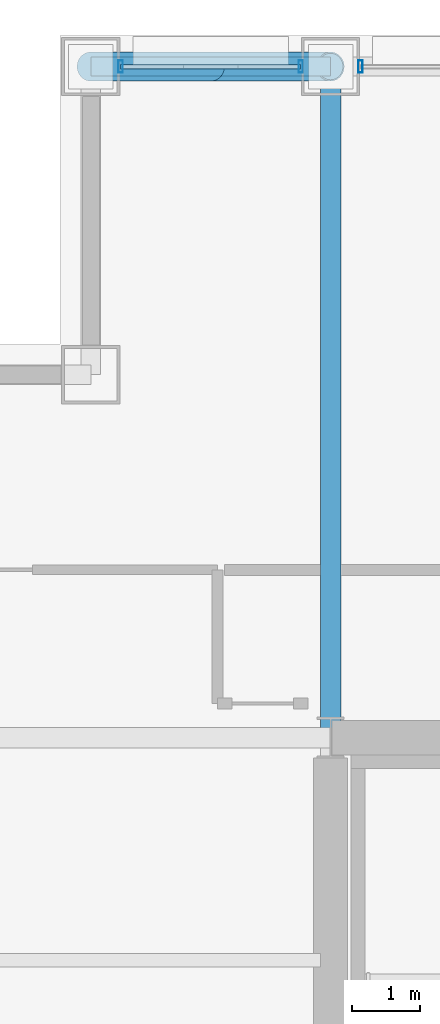
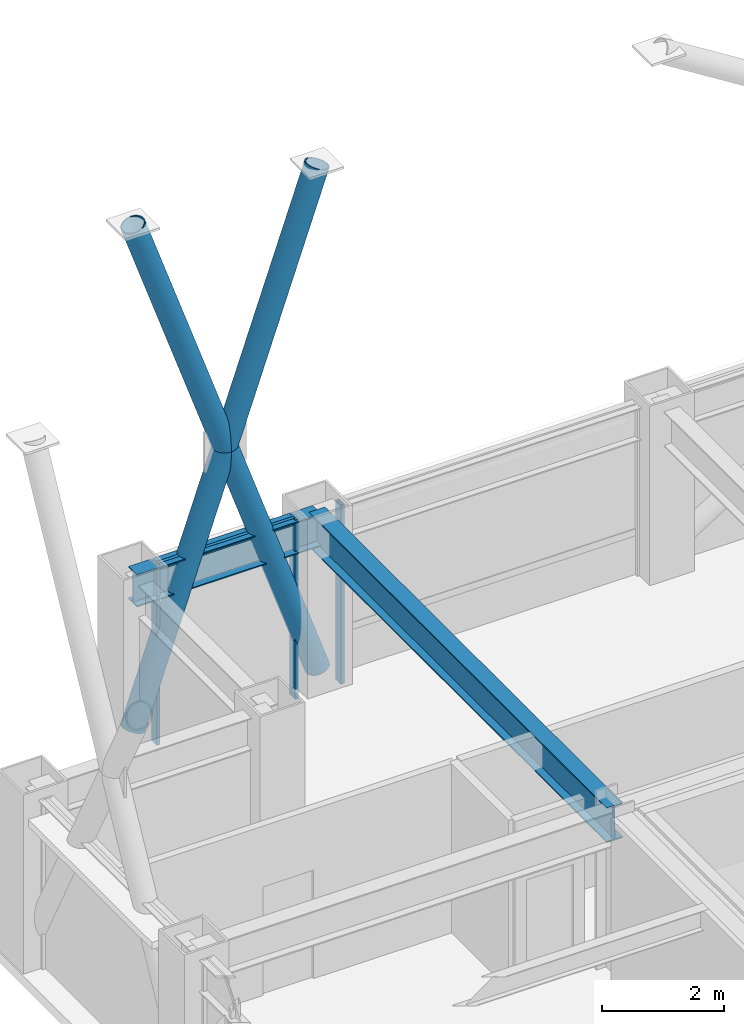
# One storey, part 20 of 34: 7 members, 2 beams, 2 elements without a shape of their own.
"""IFC4 building model written with IfcOpenShell, lengths in metres."""

from ifc_helpers import new_model, si_unit, direction, frame, origin, origin_2d, place, context, subcontext, project, spatial, hollow_rectangle, hollow_circle, i_section, extrude, material, layer, layer_set, material_profile, profile_set, type_object, element, aggregate, save


model = new_model("IFC4")

# Units and contexts
model_context = context("Model", 3, precision=1e-05, world=origin(), true_north=direction((0.0, 1.0)))
body_context = subcontext(model_context, "Body", "Model", "MODEL_VIEW")
ifc_project = project(units=[si_unit("LENGTHUNIT", "METRE"), si_unit("AREAUNIT", "SQUARE_METRE"), si_unit("VOLUMEUNIT", "CUBIC_METRE"), si_unit("PLANEANGLEUNIT", "RADIAN"), si_unit("MASSUNIT", "GRAM", prefix="KILO")], contexts=[model_context])

# Site, building, storey
site_placement = place(None, origin())
site = spatial("IfcSite", under=ifc_project, at=site_placement, CompositionType="ELEMENT")
building_placement = place(site_placement, origin())
building = spatial("IfcBuilding", under=site, at=building_placement, Name="Brelmoor Portico Tower", CompositionType="ELEMENT")
storey_placement = place(building_placement, frame((0.0, 0.0, 99.0)))
storey = spatial("IfcBuildingStorey", under=building, at=storey_placement, Name="L25", CompositionType="ELEMENT", Elevation=99.0)

# Beams
ifc_material_1 = material(Name="Steel Q355B", Category="steel")
ifc_material_profile_1 = material_profile(ifc_material_1, i_section(OverallWidth=0.300048828125, OverallDepth=0.699951171875, WebThickness=0.012939453125, FlangeThickness=0.02392578125, at=origin_2d()), Name="HN 700x300x13x24")
ifc_profile_set_1 = profile_set([ifc_material_profile_1], Name="Steel Q355B")
beam_type_1 = type_object("IfcBeamType", Name="BM-PG-700", PredefinedType="BEAM", material=ifc_profile_set_1)
beam_1_placement = place(storey_placement, frame((-14.550048828125, 9.75, 3.050048828125), z_axis=(0.0, 1.0, 0.0), x_axis=(-1.0, 0.0, 0.0)))
element("IfcBeam", 1, at=beam_1_placement, inside=storey, type_object=beam_type_1, Name="L25 Primary Floor Girder PG-04", PredefinedType="BEAM", context=body_context, shape_type="SweptSolid", body=[
    extrude(i_section(OverallWidth=0.300048828125, OverallDepth=0.699951171875, WebThickness=0.012939453125, FlangeThickness=0.02392578125, at=origin_2d()), origin(), (0.0, 0.0, 1.0), 9.800048828125),
])
ifc_material_profile_2 = material_profile(ifc_material_1, i_section(OverallWidth=0.280029296875, OverallDepth=0.64990234375, WebThickness=0.012939453125, FlangeThickness=0.02197265625, at=origin_2d()), Name="HN 650x280x13x22")
ifc_profile_set_2 = profile_set([ifc_material_profile_2], Name="Steel Q355B")
beam_type_2 = type_object("IfcBeamType", Name="BM-SP-650", PredefinedType="SPANDREL", material=ifc_profile_set_2)
beam_2_placement = place(storey_placement, frame((-18.050048828125, 19.550048828125, 3.074951171875), z_axis=(1.0, 0.0, 0.0), x_axis=(0.0, 1.0, 0.0)))
element("IfcBeam", 2, at=beam_2_placement, inside=storey, type_object=beam_type_2, Name="L25 Perimeter Spandrel Beam SP-10", PredefinedType="SPANDREL", context=body_context, shape_type="SweptSolid", body=[
    extrude(i_section(OverallWidth=0.280029296875, OverallDepth=0.64990234375, WebThickness=0.012939453125, FlangeThickness=0.02197265625, at=origin_2d()), origin(), (0.0, 0.0, 1.0), 3.5),
])

# Members
ifc_material_profile_3 = material_profile(ifc_material_1, hollow_circle(Radius=0.212890625, WallThickness=0.02001953125, at=origin_2d()), Name="CHS 426x20")
ifc_profile_set_3 = profile_set([ifc_material_profile_3], Name="Steel Q355B")
member_type_1 = type_object("IfcMemberType", Name="MB-BELT-DIAG1", PredefinedType="BRACE", material=ifc_profile_set_3)
member_1_placement = place(storey_placement, frame((-18.050048828125, 19.550048828125, 0.25), z_axis=(0.327429033028, 0.0, 0.94487577402), x_axis=(0.0, 1.0, 0.0)))
element("IfcMember", 3, at=member_1_placement, inside=storey, type_object=member_type_1, Name="L25 Continuous Mega-X Brace 051A", PredefinedType="BRACE", context=body_context, shape_type="SweptSolid", body=[
    extrude(hollow_circle(Radius=0.212890625, WallThickness=0.02001953125, at=origin_2d()), origin(), (0.0, 0.0, 1.0), 10.689453125),
])
for number, where, z_axis, x_axis, name in (
    (4, (-14.550048828125, 19.550048828125, 0.25), (-0.327429033028, 0.0, 0.94487577402), (0.0, -1.0, 0.0), "L25 Split Mega-X Brace 051B1"),
    (5, (-16.300048828125, 19.550048828125, 5.300048828125), (-0.327429033028, 0.0, 0.94487577402), (0.0, -1.0, 0.0), "L25 Split Mega-X Brace 051B2"),
):
    element("IfcMember", number, at=place(storey_placement, frame(where, z_axis=z_axis, x_axis=x_axis)), inside=storey, type_object=member_type_1, Name=name, PredefinedType="BRACE", context=body_context, shape_type="SweptSolid", body=[
        extrude(hollow_circle(Radius=0.212890625, WallThickness=0.02001953125, at=origin_2d()), origin(), (0.0, 0.0, 1.0), 5.3447265625),
    ])

# Curtain wall, members
ifc_material_2 = material(Name="Anodised Aluminium Alloy 6063-T6", Category="aluminium")
ifc_layer_1 = layer(ifc_material_2, 0.179931640625)
ifc_layer_set_1 = layer_set([ifc_layer_1], Name="Anodised Aluminium Alloy 6063-T6")
curtain_wall_type_1 = type_object("IfcCurtainWallType", Name="CW-TOWER-Z2-XB", PredefinedType="NOTDEFINED", material=ifc_layer_set_1)
curtain_wall_1_placement = place(storey_placement, origin())
curtain_wall_1 = element("IfcCurtainWall", 6, at=curtain_wall_1_placement, inside=storey, type_object=curtain_wall_type_1, Name="L25 Curtain Wall CW-L25-02-1", PredefinedType="NOTDEFINED")
ifc_material_profile_4 = material_profile(ifc_material_2, hollow_rectangle(XDim=0.06494140625, YDim=0.179931640625, WallThickness=0.00390625, at=origin_2d()), Name="ALU MULLION 65x180")
ifc_profile_set_4 = profile_set([ifc_material_profile_4], Name="Anodised Aluminium Alloy 6063-T6")
member_type_2 = type_object("IfcMemberType", Name="MB-CW-MULL-180", PredefinedType="MULLION", material=ifc_profile_set_4)
member_2_placement = place(storey_placement, frame((-17.614990234375, 19.550048828125, -0.199951171875), z_axis=(0.0, 0.0, 1.0), x_axis=(1.0, 0.0, 0.0)))
member_2 = element("IfcMember", 7, at=member_2_placement, type_object=member_type_2, Name="CW-L25-02-1 Mullion 00", PredefinedType="MULLION", context=body_context, shape_type="SweptSolid", body=[
    extrude(hollow_rectangle(XDim=0.06494140625, YDim=0.179931640625, WallThickness=0.00390625, at=origin_2d()), origin(), (0.0, 0.0, 1.0), 3.599853515625),
])
member_3_placement = place(storey_placement, frame((-14.985107421875, 19.550048828125, -0.199951171875), z_axis=(0.0, 0.0, 1.0), x_axis=(1.0, 0.0, 0.0)))
member_3 = element("IfcMember", 8, at=member_3_placement, type_object=member_type_2, Name="CW-L25-02-1 Mullion 01", PredefinedType="MULLION", context=body_context, shape_type="SweptSolid", body=[
    extrude(hollow_rectangle(XDim=0.06494140625, YDim=0.179931640625, WallThickness=0.00390625, at=origin_2d()), origin(), (0.0, 0.0, 1.0), 3.599853515625),
])

# Curtain wall, member
ifc_layer_2 = layer(ifc_material_2, 0.179931640625)
ifc_layer_set_2 = layer_set([ifc_layer_2], Name="Anodised Aluminium Alloy 6063-T6")
curtain_wall_type_2 = type_object("IfcCurtainWallType", Name="CW-TOWER-Z2", PredefinedType="NOTDEFINED", material=ifc_layer_set_2)
curtain_wall_2_placement = place(storey_placement, origin())
curtain_wall_2 = element("IfcCurtainWall", 9, at=curtain_wall_2_placement, inside=storey, type_object=curtain_wall_type_2, Name="L25 Curtain Wall CW-L25-02-2", PredefinedType="NOTDEFINED")
member_4_placement = place(storey_placement, frame((-14.114990234375, 19.550048828125, -0.199951171875), z_axis=(0.0, 0.0, 1.0), x_axis=(1.0, 0.0, 0.0)))
member_4 = element("IfcMember", 10, at=member_4_placement, type_object=member_type_2, Name="CW-L25-02-2 Mullion 00", PredefinedType="MULLION", context=body_context, shape_type="SweptSolid", body=[
    extrude(hollow_rectangle(XDim=0.06494140625, YDim=0.179931640625, WallThickness=0.00390625, at=origin_2d()), origin(), (0.0, 0.0, 1.0), 3.599853515625),
])
aggregate(curtain_wall_2, [member_4])

# Member
ifc_material_profile_5 = material_profile(ifc_material_2, hollow_rectangle(XDim=0.06494140625, YDim=0.139892578125, WallThickness=0.00390625, at=origin_2d()), Name="ALU TRANSOM 65x140")
ifc_profile_set_5 = profile_set([ifc_material_profile_5], Name="Anodised Aluminium Alloy 6063-T6")
member_type_3 = type_object("IfcMemberType", Name="MB-CW-TRAN-140", PredefinedType="USERDEFINED", material=ifc_profile_set_5)
member_5_placement = place(storey_placement, frame((-17.614990234375, 19.550048828125, 3.330078125), z_axis=(1.0, 0.0, 0.0), x_axis=(0.0, 1.0, 0.0)))
member_5 = element("IfcMember", 11, at=member_5_placement, type_object=member_type_3, Name="CW-L25-02-1 Transom 1-00", ObjectType="TRANSOM", PredefinedType="USERDEFINED", context=body_context, shape_type="SweptSolid", body=[
    extrude(hollow_rectangle(XDim=0.06494140625, YDim=0.139892578125, WallThickness=0.00390625, at=origin_2d()), origin(), (0.0, 0.0, 1.0), 2.6298828125),
])

aggregate(curtain_wall_1, [member_2, member_3, member_5])

save(model, "model.ifc")
